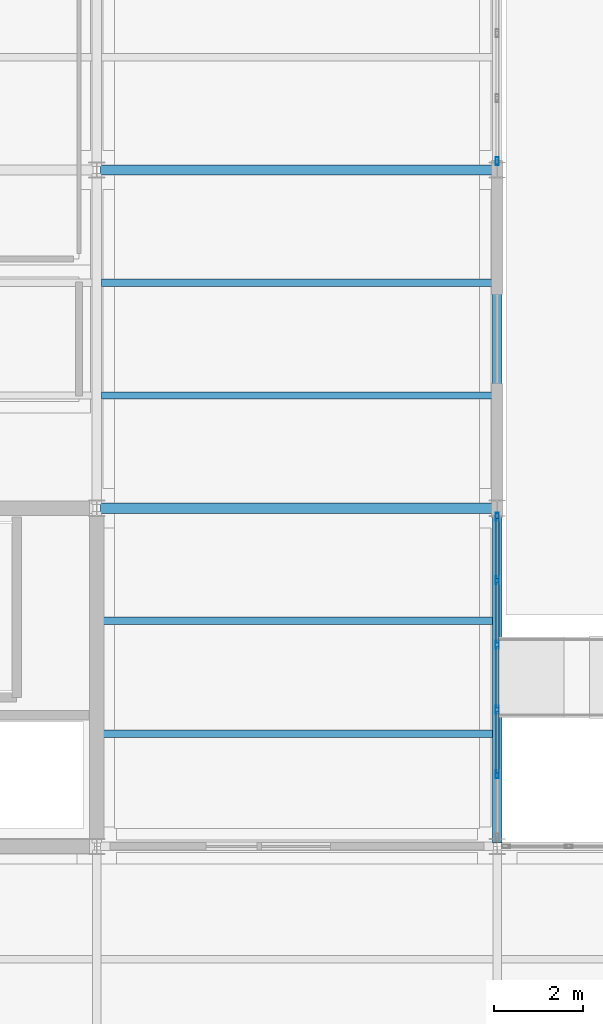
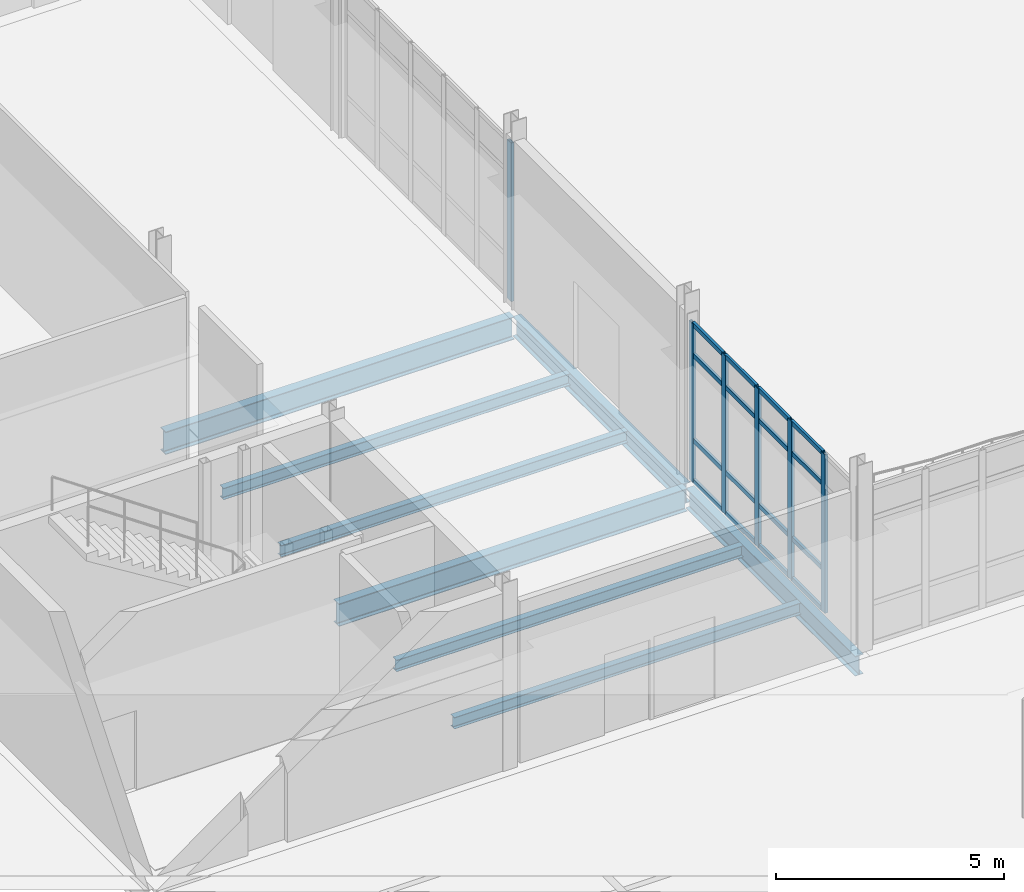
# One storey, part 62 of 161: 22 members, 8 beams, 2 elements without a shape of their own.
"""IFC4 building model written with IfcOpenShell, lengths in metres."""

from ifc_helpers import new_model, si_unit, direction, frame, origin, origin_2d, place, context, subcontext, project, spatial, hollow_rectangle, i_section, extrude, material, material_profile, profile_set, type_object, element, aggregate, save


model = new_model("IFC4")

# Units and contexts
model_context = context("Model", 3, precision=1e-05, world=origin(), true_north=direction((0.0, 1.0)))
body_context = subcontext(model_context, "Body", "Model", "MODEL_VIEW")
ifc_project = project(units=[si_unit("LENGTHUNIT", "METRE"), si_unit("AREAUNIT", "SQUARE_METRE"), si_unit("VOLUMEUNIT", "CUBIC_METRE"), si_unit("PLANEANGLEUNIT", "RADIAN"), si_unit("MASSUNIT", "GRAM", prefix="KILO")], contexts=[model_context])

# Site, building, storey
site_placement = place(None, origin())
site = spatial("IfcSite", under=ifc_project, at=site_placement, CompositionType="ELEMENT")
building_placement = place(site_placement, origin())
building = spatial("IfcBuilding", under=site, at=building_placement, Name="Caisbarro Railhouse Central Library", CompositionType="ELEMENT")
storey_placement = place(building_placement, origin())
storey = spatial("IfcBuildingStorey", under=building, at=storey_placement, Name="L00", CompositionType="ELEMENT", Elevation=0.0)

# Beams
ifc_material_1 = material(Name="Steel ASTM A572 Grade 50", Category="steel")
ifc_material_profile_1 = material_profile(ifc_material_1, i_section(OverallWidth=0.22802734375, OverallDepth=0.60791015625, WebThickness=0.01123046875, FlangeThickness=0.017333984375, FilletRadius=0.02197265625, at=origin_2d()), Name="W610X113.0")
ifc_profile_set_1 = profile_set([ifc_material_profile_1], Name="Steel ASTM A572 Grade 50")
beam_type_1 = type_object("IfcBeamType", Name="BM-G04", PredefinedType="BEAM", material=ifc_profile_set_1)
for number, where, z_axis, x_axis, name in (
    (1, (63.080078125, 38.0, -0.553955078125), (1.0, 0.0, 0.0), (0.0, 1.0, 0.0), "G04 beam L00 #258"),
    (2, (63.080078125, 45.60009765625, -0.553955078125), (1.0, 0.0, 0.0), (0.0, 1.0, 0.0), "G04 beam L00 #266"),
):
    element("IfcBeam", number, at=place(storey_placement, frame(where, z_axis=z_axis, x_axis=x_axis)), inside=storey, type_object=beam_type_1, Name=name, PredefinedType="BEAM", context=body_context, shape_type="SweptSolid", body=[
        extrude(i_section(OverallWidth=0.22802734375, OverallDepth=0.60791015625, WebThickness=0.01123046875, FlangeThickness=0.017333984375, FilletRadius=0.02197265625, at=origin_2d()), origin(), (0.0, 0.0, 1.0), 8.83984375),
    ])
ifc_material_profile_2 = material_profile(ifc_material_1, i_section(OverallWidth=0.208984375, OverallDepth=0.532958984375, WebThickness=0.01025390625, FlangeThickness=0.015625, FilletRadius=0.02001953125, at=origin_2d()), Name="W530X92.0")
ifc_profile_set_2 = profile_set([ifc_material_profile_2], Name="Steel ASTM A572 Grade 50")
beam_type_2 = type_object("IfcBeamType", Name="BM-G06", PredefinedType="BEAM", material=ifc_profile_set_2)
for number, where, z_axis, x_axis, name in (
    (3, (72.0, 30.47998046875, -0.5166015625), (0.0, 1.0, 0.0), (-1.0, 0.0, 0.0), "G06 beam L00 #315"),
    (4, (72.0, 38.080078125, -0.5166015625), (0.0, 1.0, 0.0), (-1.0, 0.0, 0.0), "G06 beam L00 #316"),
):
    element("IfcBeam", number, at=place(storey_placement, frame(where, z_axis=z_axis, x_axis=x_axis)), inside=storey, type_object=beam_type_2, Name=name, PredefinedType="BEAM", context=body_context, shape_type="SweptSolid", body=[
        extrude(i_section(OverallWidth=0.208984375, OverallDepth=0.532958984375, WebThickness=0.01025390625, FlangeThickness=0.015625, FilletRadius=0.02001953125, at=origin_2d()), origin(), (0.0, 0.0, 1.0), 7.43994140625),
    ])
ifc_material_profile_3 = material_profile(ifc_material_1, i_section(OverallWidth=0.1650390625, OverallDepth=0.31005859375, WebThickness=0.005859375, FlangeThickness=0.009765625, FilletRadius=0.011962890625, at=origin_2d()), Name="W310X38.7")
ifc_profile_set_3 = profile_set([ifc_material_profile_3], Name="Steel ASTM A572 Grade 50")
beam_type_3 = type_object("IfcBeamType", Name="BM-J03", PredefinedType="JOIST", material=ifc_profile_set_3)
for number, where, z_axis, x_axis, name in (
    (5, (63.1044921875, 32.933349609375, -0.405029296875), (1.0, 0.0, 0.0), (0.0, 1.0, 0.0), "J03 beam L00 #373"),
    (6, (63.1044921875, 35.466796875, -0.405029296875), (1.0, 0.0, 0.0), (0.0, 1.0, 0.0), "J03 beam L00 #374"),
    (7, (63.1044921875, 40.533203125, -0.405029296875), (1.0, 0.0, 0.0), (0.0, 1.0, 0.0), "J03 beam L00 #375"),
    (8, (63.1044921875, 43.066650390625, -0.405029296875), (1.0, 0.0, 0.0), (0.0, 1.0, 0.0), "J03 beam L00 #376"),
):
    element("IfcBeam", number, at=place(storey_placement, frame(where, z_axis=z_axis, x_axis=x_axis)), inside=storey, type_object=beam_type_3, Name=name, PredefinedType="JOIST", context=body_context, shape_type="SweptSolid", body=[
        extrude(i_section(OverallWidth=0.1650390625, OverallDepth=0.31005859375, WebThickness=0.005859375, FlangeThickness=0.009765625, FilletRadius=0.011962890625, at=origin_2d()), origin(), (0.0, 0.0, 1.0), 8.791015625),
    ])

# Curtain wall, members
ifc_material_2 = material(Name="Anodised architectural aluminium", Category="aluminium")
curtain_wall_type = type_object("IfcCurtainWallType", Name="CW-CW01", PredefinedType="NOTDEFINED", material=ifc_material_2)
curtain_wall_1_placement = place(storey_placement, origin())
curtain_wall_1 = element("IfcCurtainWall", 9, at=curtain_wall_1_placement, inside=storey, type_object=curtain_wall_type, Name="CW01 curtain wall L00 #23", PredefinedType="NOTDEFINED")
ifc_material_profile_4 = material_profile(ifc_material_2, hollow_rectangle(XDim=0.074951171875, YDim=0.179931640625, WallThickness=0.00439453125, at=origin_2d()), Name="ALU-MUL-75X180")
ifc_profile_set_4 = profile_set([ifc_material_profile_4], Name="Anodised architectural aluminium")
member_type_1 = type_object("IfcMemberType", Name="CWM-M01", PredefinedType="MULLION", material=ifc_profile_set_4)
member_1_placement = place(storey_placement, frame((72.0, 32.01611328125, 0.0), z_axis=(0.0, 0.0, 1.0), x_axis=(-1.0, 0.0, 0.0)))
member_1 = element("IfcMember", 10, at=member_1_placement, type_object=member_type_1, Name="CW01 mullion 2", PredefinedType="MULLION", context=body_context, shape_type="SweptSolid", body=[
    extrude(hollow_rectangle(XDim=0.074951171875, YDim=0.179931640625, WallThickness=0.00439453125, at=origin_2d()), origin(), (0.0, 0.0, 1.0), 4.25),
])
member_2_placement = place(storey_placement, frame((72.0, 33.471923828125, 0.0), z_axis=(0.0, 0.0, 1.0), x_axis=(-1.0, 0.0, 0.0)))
member_2 = element("IfcMember", 11, at=member_2_placement, type_object=member_type_1, Name="CW01 mullion 3", PredefinedType="MULLION", context=body_context, shape_type="SweptSolid", body=[
    extrude(hollow_rectangle(XDim=0.074951171875, YDim=0.179931640625, WallThickness=0.00439453125, at=origin_2d()), origin(), (0.0, 0.0, 1.0), 4.25),
])
member_3_placement = place(storey_placement, frame((72.0, 34.927978515625, 0.0), z_axis=(0.0, 0.0, 1.0), x_axis=(-1.0, 0.0, 0.0)))
member_3 = element("IfcMember", 12, at=member_3_placement, type_object=member_type_1, Name="CW01 mullion 4", PredefinedType="MULLION", context=body_context, shape_type="SweptSolid", body=[
    extrude(hollow_rectangle(XDim=0.074951171875, YDim=0.179931640625, WallThickness=0.00439453125, at=origin_2d()), origin(), (0.0, 0.0, 1.0), 4.25),
])
member_4_placement = place(storey_placement, frame((72.0, 36.384033203125, 0.0), z_axis=(0.0, 0.0, 1.0), x_axis=(-1.0, 0.0, 0.0)))
member_4 = element("IfcMember", 13, at=member_4_placement, type_object=member_type_1, Name="CW01 mullion 5", PredefinedType="MULLION", context=body_context, shape_type="SweptSolid", body=[
    extrude(hollow_rectangle(XDim=0.074951171875, YDim=0.179931640625, WallThickness=0.00439453125, at=origin_2d()), origin(), (0.0, 0.0, 1.0), 4.25),
])
member_5_placement = place(storey_placement, frame((72.0, 37.802490234375, 0.0), z_axis=(0.0, 0.0, 1.0), x_axis=(-1.0, 0.0, 0.0)))
member_5 = element("IfcMember", 14, at=member_5_placement, type_object=member_type_1, Name="CW01 mullion 6", PredefinedType="MULLION", context=body_context, shape_type="SweptSolid", body=[
    extrude(hollow_rectangle(XDim=0.074951171875, YDim=0.179931640625, WallThickness=0.00439453125, at=origin_2d()), origin(), (0.0, 0.0, 1.0), 4.25),
])

# Curtain wall, member
curtain_wall_2_placement = place(storey_placement, origin())
curtain_wall_2 = element("IfcCurtainWall", 15, at=curtain_wall_2_placement, inside=storey, type_object=curtain_wall_type, Name="CW01 curtain wall L00 #24", PredefinedType="NOTDEFINED")
member_6_placement = place(storey_placement, frame((72.0, 45.797607421875, 0.0), z_axis=(0.0, 0.0, 1.0), x_axis=(-1.0, 0.0, 0.0)))
member_6 = element("IfcMember", 16, at=member_6_placement, type_object=member_type_1, Name="CW01 mullion 1", PredefinedType="MULLION", context=body_context, shape_type="SweptSolid", body=[
    extrude(hollow_rectangle(XDim=0.074951171875, YDim=0.179931640625, WallThickness=0.00439453125, at=origin_2d()), origin(), (0.0, 0.0, 1.0), 4.25),
])
aggregate(curtain_wall_2, [member_6])

# Member
ifc_material_profile_5 = material_profile(ifc_material_2, hollow_rectangle(XDim=0.06494140625, YDim=0.1201171875, WallThickness=0.00341796875, at=origin_2d()), Name="ALU-TRN-65X120")
ifc_profile_set_5 = profile_set([ifc_material_profile_5], Name="Anodised architectural aluminium")
member_type_2 = type_object("IfcMemberType", Name="CWT-T02", PredefinedType="USERDEFINED", material=ifc_profile_set_5)
member_7_placement = place(storey_placement, frame((72.0, 32.053466796875, 0.032470703125), z_axis=(0.0, 1.0, 0.0), x_axis=(-1.0, 0.0, 0.0)))
member_7 = element("IfcMember", 17, at=member_7_placement, type_object=member_type_2, Name="CW01 transom 2.1", ObjectType="TRANSOM", PredefinedType="USERDEFINED", context=body_context, shape_type="SweptSolid", body=[
    extrude(hollow_rectangle(XDim=0.06494140625, YDim=0.1201171875, WallThickness=0.00341796875, at=origin_2d()), origin(), (0.0, 0.0, 1.0), 1.381103515625),
])

member_8_placement = place(storey_placement, frame((72.0, 32.053466796875, 1.1201171875), z_axis=(0.0, 1.0, 0.0), x_axis=(-1.0, 0.0, 0.0)))
member_8 = element("IfcMember", 18, at=member_8_placement, type_object=member_type_2, Name="CW01 transom 2.2", ObjectType="TRANSOM", PredefinedType="USERDEFINED", context=body_context, shape_type="SweptSolid", body=[
    extrude(hollow_rectangle(XDim=0.06494140625, YDim=0.1201171875, WallThickness=0.00341796875, at=origin_2d()), origin(), (0.0, 0.0, 1.0), 1.381103515625),
])

member_9_placement = place(storey_placement, frame((72.0, 32.053466796875, 3.39990234375), z_axis=(0.0, 1.0, 0.0), x_axis=(-1.0, 0.0, 0.0)))
member_9 = element("IfcMember", 19, at=member_9_placement, type_object=member_type_2, Name="CW01 transom 2.3", ObjectType="TRANSOM", PredefinedType="USERDEFINED", context=body_context, shape_type="SweptSolid", body=[
    extrude(hollow_rectangle(XDim=0.06494140625, YDim=0.1201171875, WallThickness=0.00341796875, at=origin_2d()), origin(), (0.0, 0.0, 1.0), 1.381103515625),
])

member_10_placement = place(storey_placement, frame((72.0, 32.053466796875, 4.217529296875), z_axis=(0.0, 1.0, 0.0), x_axis=(-1.0, 0.0, 0.0)))
member_10 = element("IfcMember", 20, at=member_10_placement, type_object=member_type_2, Name="CW01 transom 2.4", ObjectType="TRANSOM", PredefinedType="USERDEFINED", context=body_context, shape_type="SweptSolid", body=[
    extrude(hollow_rectangle(XDim=0.06494140625, YDim=0.1201171875, WallThickness=0.00341796875, at=origin_2d()), origin(), (0.0, 0.0, 1.0), 1.381103515625),
])

member_11_placement = place(storey_placement, frame((72.0, 33.509521484375, 0.032470703125), z_axis=(0.0, 1.0, 0.0), x_axis=(-1.0, 0.0, 0.0)))
member_11 = element("IfcMember", 21, at=member_11_placement, type_object=member_type_2, Name="CW01 transom 3.1", ObjectType="TRANSOM", PredefinedType="USERDEFINED", context=body_context, shape_type="SweptSolid", body=[
    extrude(hollow_rectangle(XDim=0.06494140625, YDim=0.1201171875, WallThickness=0.00341796875, at=origin_2d()), origin(), (0.0, 0.0, 1.0), 1.380859375),
])

member_12_placement = place(storey_placement, frame((72.0, 33.509521484375, 1.1201171875), z_axis=(0.0, 1.0, 0.0), x_axis=(-1.0, 0.0, 0.0)))
member_12 = element("IfcMember", 22, at=member_12_placement, type_object=member_type_2, Name="CW01 transom 3.2", ObjectType="TRANSOM", PredefinedType="USERDEFINED", context=body_context, shape_type="SweptSolid", body=[
    extrude(hollow_rectangle(XDim=0.06494140625, YDim=0.1201171875, WallThickness=0.00341796875, at=origin_2d()), origin(), (0.0, 0.0, 1.0), 1.380859375),
])

member_13_placement = place(storey_placement, frame((72.0, 33.509521484375, 3.39990234375), z_axis=(0.0, 1.0, 0.0), x_axis=(-1.0, 0.0, 0.0)))
member_13 = element("IfcMember", 23, at=member_13_placement, type_object=member_type_2, Name="CW01 transom 3.3", ObjectType="TRANSOM", PredefinedType="USERDEFINED", context=body_context, shape_type="SweptSolid", body=[
    extrude(hollow_rectangle(XDim=0.06494140625, YDim=0.1201171875, WallThickness=0.00341796875, at=origin_2d()), origin(), (0.0, 0.0, 1.0), 1.380859375),
])

member_14_placement = place(storey_placement, frame((72.0, 33.509521484375, 4.217529296875), z_axis=(0.0, 1.0, 0.0), x_axis=(-1.0, 0.0, 0.0)))
member_14 = element("IfcMember", 24, at=member_14_placement, type_object=member_type_2, Name="CW01 transom 3.4", ObjectType="TRANSOM", PredefinedType="USERDEFINED", context=body_context, shape_type="SweptSolid", body=[
    extrude(hollow_rectangle(XDim=0.06494140625, YDim=0.1201171875, WallThickness=0.00341796875, at=origin_2d()), origin(), (0.0, 0.0, 1.0), 1.380859375),
])

member_15_placement = place(storey_placement, frame((72.0, 34.965576171875, 0.032470703125), z_axis=(0.0, 1.0, 0.0), x_axis=(-1.0, 0.0, 0.0)))
member_15 = element("IfcMember", 25, at=member_15_placement, type_object=member_type_2, Name="CW01 transom 4.1", ObjectType="TRANSOM", PredefinedType="USERDEFINED", context=body_context, shape_type="SweptSolid", body=[
    extrude(hollow_rectangle(XDim=0.06494140625, YDim=0.1201171875, WallThickness=0.00341796875, at=origin_2d()), origin(), (0.0, 0.0, 1.0), 1.380859375),
])

member_16_placement = place(storey_placement, frame((72.0, 34.965576171875, 1.1201171875), z_axis=(0.0, 1.0, 0.0), x_axis=(-1.0, 0.0, 0.0)))
member_16 = element("IfcMember", 26, at=member_16_placement, type_object=member_type_2, Name="CW01 transom 4.2", ObjectType="TRANSOM", PredefinedType="USERDEFINED", context=body_context, shape_type="SweptSolid", body=[
    extrude(hollow_rectangle(XDim=0.06494140625, YDim=0.1201171875, WallThickness=0.00341796875, at=origin_2d()), origin(), (0.0, 0.0, 1.0), 1.380859375),
])

member_17_placement = place(storey_placement, frame((72.0, 34.965576171875, 3.39990234375), z_axis=(0.0, 1.0, 0.0), x_axis=(-1.0, 0.0, 0.0)))
member_17 = element("IfcMember", 27, at=member_17_placement, type_object=member_type_2, Name="CW01 transom 4.3", ObjectType="TRANSOM", PredefinedType="USERDEFINED", context=body_context, shape_type="SweptSolid", body=[
    extrude(hollow_rectangle(XDim=0.06494140625, YDim=0.1201171875, WallThickness=0.00341796875, at=origin_2d()), origin(), (0.0, 0.0, 1.0), 1.380859375),
])

member_18_placement = place(storey_placement, frame((72.0, 34.965576171875, 4.217529296875), z_axis=(0.0, 1.0, 0.0), x_axis=(-1.0, 0.0, 0.0)))
member_18 = element("IfcMember", 28, at=member_18_placement, type_object=member_type_2, Name="CW01 transom 4.4", ObjectType="TRANSOM", PredefinedType="USERDEFINED", context=body_context, shape_type="SweptSolid", body=[
    extrude(hollow_rectangle(XDim=0.06494140625, YDim=0.1201171875, WallThickness=0.00341796875, at=origin_2d()), origin(), (0.0, 0.0, 1.0), 1.380859375),
])

member_19_placement = place(storey_placement, frame((72.0, 36.42138671875, 0.032470703125), z_axis=(0.0, 1.0, 0.0), x_axis=(-1.0, 0.0, 0.0)))
member_19 = element("IfcMember", 29, at=member_19_placement, type_object=member_type_2, Name="CW01 transom 5.1", ObjectType="TRANSOM", PredefinedType="USERDEFINED", context=body_context, shape_type="SweptSolid", body=[
    extrude(hollow_rectangle(XDim=0.06494140625, YDim=0.1201171875, WallThickness=0.00341796875, at=origin_2d()), origin(), (0.0, 0.0, 1.0), 1.343505859375),
])

member_20_placement = place(storey_placement, frame((72.0, 36.42138671875, 1.1201171875), z_axis=(0.0, 1.0, 0.0), x_axis=(-1.0, 0.0, 0.0)))
member_20 = element("IfcMember", 30, at=member_20_placement, type_object=member_type_2, Name="CW01 transom 5.2", ObjectType="TRANSOM", PredefinedType="USERDEFINED", context=body_context, shape_type="SweptSolid", body=[
    extrude(hollow_rectangle(XDim=0.06494140625, YDim=0.1201171875, WallThickness=0.00341796875, at=origin_2d()), origin(), (0.0, 0.0, 1.0), 1.343505859375),
])

member_21_placement = place(storey_placement, frame((72.0, 36.42138671875, 3.39990234375), z_axis=(0.0, 1.0, 0.0), x_axis=(-1.0, 0.0, 0.0)))
member_21 = element("IfcMember", 31, at=member_21_placement, type_object=member_type_2, Name="CW01 transom 5.3", ObjectType="TRANSOM", PredefinedType="USERDEFINED", context=body_context, shape_type="SweptSolid", body=[
    extrude(hollow_rectangle(XDim=0.06494140625, YDim=0.1201171875, WallThickness=0.00341796875, at=origin_2d()), origin(), (0.0, 0.0, 1.0), 1.343505859375),
])

member_22_placement = place(storey_placement, frame((72.0, 36.42138671875, 4.217529296875), z_axis=(0.0, 1.0, 0.0), x_axis=(-1.0, 0.0, 0.0)))
member_22 = element("IfcMember", 32, at=member_22_placement, type_object=member_type_2, Name="CW01 transom 5.4", ObjectType="TRANSOM", PredefinedType="USERDEFINED", context=body_context, shape_type="SweptSolid", body=[
    extrude(hollow_rectangle(XDim=0.06494140625, YDim=0.1201171875, WallThickness=0.00341796875, at=origin_2d()), origin(), (0.0, 0.0, 1.0), 1.343505859375),
])

aggregate(curtain_wall_1, [member_1, member_2, member_3, member_4, member_5, member_7, member_8, member_9, member_10, member_11, member_12, member_13, member_14, member_15, member_16, member_17, member_18, member_19, member_20, member_21, member_22])

save(model, "model.ifc")
